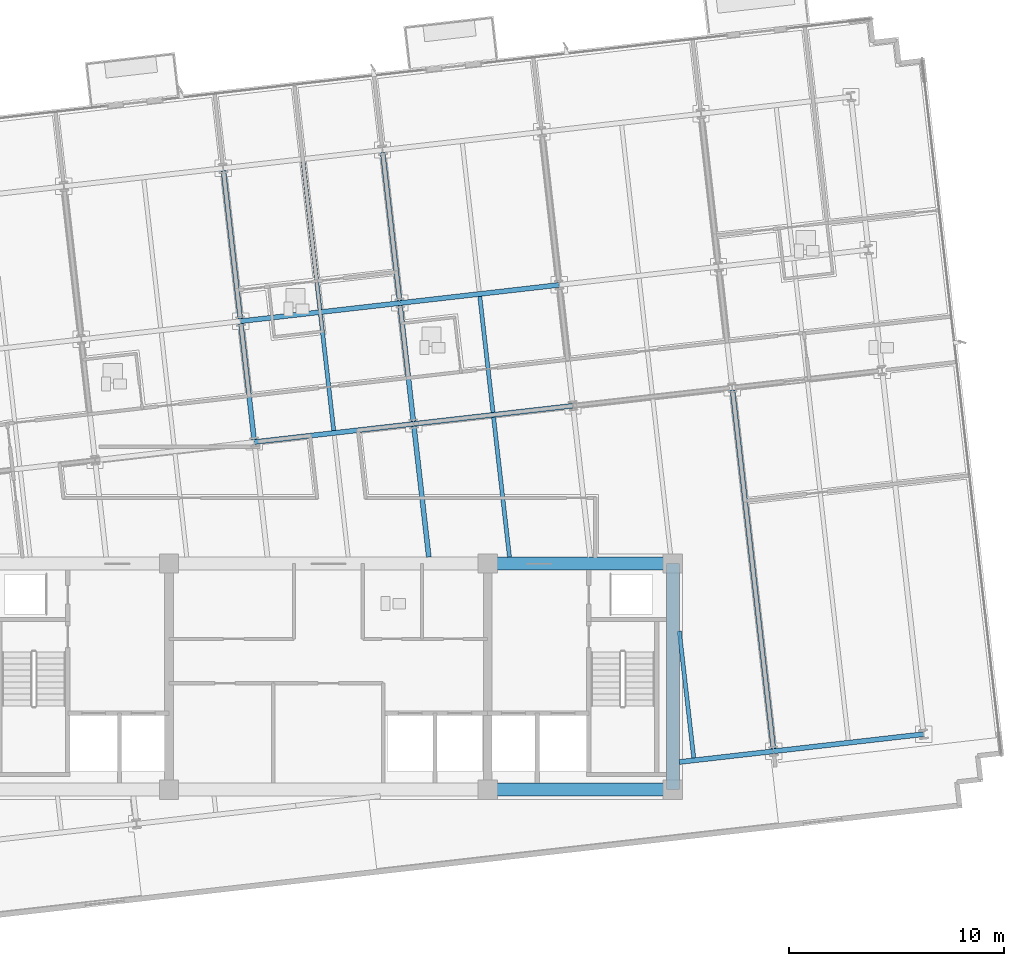
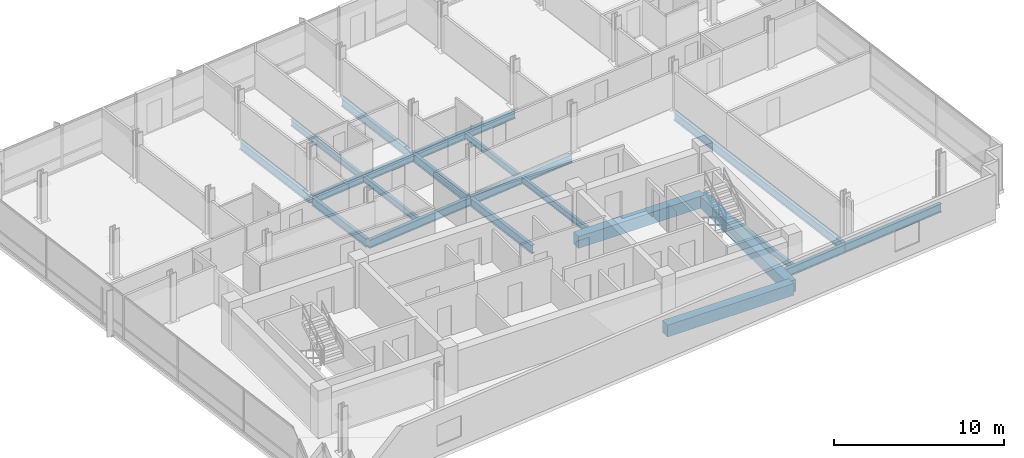
# One storey, part 4 of 16: 20 beams.
"""IFC4 building model written with IfcOpenShell, lengths in metres."""

from ifc_helpers import new_model, si_unit, direction, frame, origin, origin_2d, place, context, subcontext, project, spatial, rectangle, i_section, extrude, material, material_profile, profile_set, type_object, element, save


model = new_model("IFC4")

# Units and contexts
model_context = context("Model", 3, precision=1e-05, world=origin(), true_north=direction((0.0, 1.0)))
body_context = subcontext(model_context, "Body", "Model", "MODEL_VIEW")
ifc_project = project(units=[si_unit("LENGTHUNIT", "METRE"), si_unit("AREAUNIT", "SQUARE_METRE"), si_unit("VOLUMEUNIT", "CUBIC_METRE"), si_unit("PLANEANGLEUNIT", "RADIAN"), si_unit("MASSUNIT", "GRAM", prefix="KILO")], contexts=[model_context])

# Site, building, storey
site_placement = place(None, origin())
site = spatial("IfcSite", under=ifc_project, at=site_placement, CompositionType="ELEMENT")
building_placement = place(site_placement, origin())
building = spatial("IfcBuilding", under=site, at=building_placement, Name="Solmavex Isthmus Hotel", CompositionType="ELEMENT")
storey_placement = place(building_placement, frame((0.0, 0.0, 215.85009765625)))
storey = spatial("IfcBuildingStorey", under=building, at=storey_placement, Name="L58", CompositionType="ELEMENT", Elevation=215.85009765625)

# Beams
ifc_material_1 = material(Name="Steel ASTM A992 Grade 50", Category="steel")
ifc_material_profile_1 = material_profile(ifc_material_1, i_section(OverallWidth=0.1904296875, OverallDepth=0.456787109375, WebThickness=0.009033203125, FlangeThickness=0.014404296875, FilletRadius=0.0126953125, at=origin_2d()), Name="W18X50")
ifc_profile_set_1 = profile_set([ifc_material_profile_1], Name="Steel ASTM A992 Grade 50")
beam_type_1 = type_object("IfcBeamType", Name="BM-BJ-W18X50", PredefinedType="JOIST", material=ifc_profile_set_1)
beam_1_placement = place(storey_placement, frame((0.250244140625, 3.67822265625, -0.488525390625), z_axis=(-0.113194691868, 0.993572826587, 0.0), x_axis=(-0.993572826587, -0.113194691868, 0.0)))
element("IfcBeam", 1, at=beam_1_placement, inside=storey, type_object=beam_type_1, Name="Secondary Floor Joist L58-J10", PredefinedType="JOIST", context=body_context, shape_type="SweptSolid", body=[
    extrude(i_section(OverallWidth=0.1904296875, OverallDepth=0.456787109375, WebThickness=0.009033203125, FlangeThickness=0.014404296875, FilletRadius=0.0126953125, at=origin_2d()), origin(), (0.0, 0.0, 1.0), 5.420166015625),
])
beam_2_placement = place(storey_placement, frame((-0.38916015625, 9.289794921875, -0.488525390625), z_axis=(-0.113202453846, 0.993571942258, 0.0), x_axis=(-0.993571942258, -0.113202453846, 0.0)))
element("IfcBeam", 2, at=beam_2_placement, inside=storey, type_object=beam_type_1, Name="Secondary Floor Joist L58-J11", PredefinedType="JOIST", context=body_context, shape_type="SweptSolid", body=[
    extrude(i_section(OverallWidth=0.1904296875, OverallDepth=0.456787109375, WebThickness=0.009033203125, FlangeThickness=0.014404296875, FilletRadius=0.0126953125, at=origin_2d()), origin(), (0.0, 0.0, 1.0), 6.9228515625),
])
beam_3_placement = place(storey_placement, frame((8.414306640625, -2.199951171875, -0.488525390625), z_axis=(-0.113206345873, 0.993571498813, 0.0), x_axis=(-0.993571498813, -0.113206345873, 0.0)))
element("IfcBeam", 3, at=beam_3_placement, inside=storey, type_object=beam_type_1, Name="Secondary Floor Joist L58-J12", PredefinedType="JOIST", context=body_context, shape_type="SweptSolid", body=[
    extrude(i_section(OverallWidth=0.1904296875, OverallDepth=0.456787109375, WebThickness=0.009033203125, FlangeThickness=0.014404296875, FilletRadius=0.0126953125, at=origin_2d()), origin(), (0.0, 0.0, 1.0), 6.53662109375),
])
beam_4_placement = place(storey_placement, frame((7.6484375, 4.521240234375, -0.488525390625), z_axis=(-0.113194691868, 0.993572826587, 0.0), x_axis=(-0.993572826587, -0.113194691868, 0.0)))
element("IfcBeam", 4, at=beam_4_placement, inside=storey, type_object=beam_type_1, Name="Secondary Floor Joist L58-J13", PredefinedType="JOIST", context=body_context, shape_type="SweptSolid", body=[
    extrude(i_section(OverallWidth=0.1904296875, OverallDepth=0.456787109375, WebThickness=0.009033203125, FlangeThickness=0.014404296875, FilletRadius=0.0126953125, at=origin_2d()), origin(), (0.0, 0.0, 1.0), 5.420166015625),
])
beam_5_placement = place(storey_placement, frame((16.970947265625, -11.525390625, -0.488525390625), z_axis=(-0.113202687678, 0.993571915617, 0.0), x_axis=(-0.993571915617, -0.113202687678, 0.0)))
element("IfcBeam", 5, at=beam_5_placement, inside=storey, type_object=beam_type_1, Name="Secondary Floor Joist L58-J15", PredefinedType="JOIST", context=body_context, shape_type="SweptSolid", body=[
    extrude(i_section(OverallWidth=0.1904296875, OverallDepth=0.456787109375, WebThickness=0.009033203125, FlangeThickness=0.014404296875, FilletRadius=0.0126953125, at=origin_2d()), origin(), (0.0, 0.0, 1.0), 5.926513671875),
])
ifc_material_profile_2 = material_profile(ifc_material_1, i_section(OverallWidth=0.227783203125, OverallDepth=0.602783203125, WebThickness=0.010498046875, FlangeThickness=0.014892578125, FilletRadius=0.01513671875, at=origin_2d()), Name="W24X68")
ifc_profile_set_2 = profile_set([ifc_material_profile_2], Name="Steel ASTM A992 Grade 50")
beam_type_2 = type_object("IfcBeamType", Name="BM-BM-W24X68", PredefinedType="BEAM", material=ifc_profile_set_2)
beam_6_placement = place(storey_placement, frame((-3.435791015625, 3.1435546875, -0.5615234375), z_axis=(0.993569926006, 0.113220148984, 0.0), x_axis=(-0.113220148984, 0.993569926006, 0.0)))
element("IfcBeam", 6, at=beam_6_placement, inside=storey, type_object=beam_type_2, Name="Floor Girder L58-UG08", PredefinedType="BEAM", context=body_context, shape_type="SweptSolid", body=[
    extrude(i_section(OverallWidth=0.227783203125, OverallDepth=0.602783203125, WebThickness=0.010498046875, FlangeThickness=0.014892578125, FilletRadius=0.01513671875, at=origin_2d()), origin(), (0.0, 0.0, 1.0), 7.44580078125),
])
for number, where, z_axis, x_axis, name in (
    (7, (3.962158203125, 3.986572265625, -0.5615234375), (0.993574034044, 0.113184092846, 0.0), (-0.113184092846, 0.993574034044, 0.0), "Floor Girder L58-UG09"),
    (8, (-4.0751953125, 8.75537109375, -0.5615234375), (0.993574034044, 0.113184092846, 0.0), (-0.113184092846, 0.993574034044, 0.0), "Floor Girder L58-UG14"),
):
    element("IfcBeam", number, at=place(storey_placement, frame(where, z_axis=z_axis, x_axis=x_axis)), inside=storey, type_object=beam_type_2, Name=name, PredefinedType="BEAM", context=body_context, shape_type="SweptSolid", body=[
        extrude(i_section(OverallWidth=0.227783203125, OverallDepth=0.602783203125, WebThickness=0.010498046875, FlangeThickness=0.014892578125, FilletRadius=0.01513671875, at=origin_2d()), origin(), (0.0, 0.0, 1.0), 7.446044921875),
    ])
beam_7_placement = place(storey_placement, frame((3.322998046875, 9.59814453125, -0.5615234375), z_axis=(0.993569926006, 0.113220148984, 0.0), x_axis=(-0.113220148984, 0.993569926006, 0.0)))
element("IfcBeam", 9, at=beam_7_placement, inside=storey, type_object=beam_type_2, Name="Floor Girder L58-UG15", PredefinedType="BEAM", context=body_context, shape_type="SweptSolid", body=[
    extrude(i_section(OverallWidth=0.227783203125, OverallDepth=0.602783203125, WebThickness=0.010498046875, FlangeThickness=0.014892578125, FilletRadius=0.01513671875, at=origin_2d()), origin(), (0.0, 0.0, 1.0), 7.44580078125),
])
beam_8_placement = place(storey_placement, frame((-3.44873046875, 3.2568359375, -0.5615234375), z_axis=(-0.113194691868, 0.993572826587, 0.0), x_axis=(-0.993572826587, -0.113194691868, 0.0)))
element("IfcBeam", 10, at=beam_8_placement, inside=storey, type_object=beam_type_2, Name="Floor Beam L58-VG32", PredefinedType="BEAM", context=body_context, shape_type="SweptSolid", body=[
    extrude(i_section(OverallWidth=0.227783203125, OverallDepth=0.602783203125, WebThickness=0.010498046875, FlangeThickness=0.014892578125, FilletRadius=0.01513671875, at=origin_2d()), origin(), (0.0, 0.0, 1.0), 5.420166015625),
])
beam_9_placement = place(storey_placement, frame((-4.088134765625, 8.868408203125, -0.5615234375), z_axis=(-0.113202453846, 0.993571942258, 0.0), x_axis=(-0.993571942258, -0.113202453846, 0.0)))
element("IfcBeam", 11, at=beam_9_placement, inside=storey, type_object=beam_type_2, Name="Floor Beam L58-VG33", PredefinedType="BEAM", context=body_context, shape_type="SweptSolid", body=[
    extrude(i_section(OverallWidth=0.227783203125, OverallDepth=0.602783203125, WebThickness=0.010498046875, FlangeThickness=0.014892578125, FilletRadius=0.01513671875, at=origin_2d()), origin(), (0.0, 0.0, 1.0), 6.9228515625),
])
beam_10_placement = place(storey_placement, frame((4.667236328125, -2.199951171875, -0.5615234375), z_axis=(-0.113232304752, 0.993568540746, 0.0), x_axis=(-0.993568540746, -0.113232304752, 0.0)))
element("IfcBeam", 12, at=beam_10_placement, inside=storey, type_object=beam_type_2, Name="Floor Beam L58-VG34", PredefinedType="BEAM", context=body_context, shape_type="SweptSolid", body=[
    extrude(i_section(OverallWidth=0.227783203125, OverallDepth=0.602783203125, WebThickness=0.010498046875, FlangeThickness=0.014892578125, FilletRadius=0.01513671875, at=origin_2d()), origin(), (0.0, 0.0, 1.0), 6.112548828125),
])
beam_11_placement = place(storey_placement, frame((3.949462890625, 4.099609375, -0.5615234375), z_axis=(-0.113234090386, 0.993568337244, 0.0), x_axis=(-0.993568337244, -0.113234090386, 0.0)))
element("IfcBeam", 13, at=beam_11_placement, inside=storey, type_object=beam_type_2, Name="Floor Beam L58-VG35", PredefinedType="BEAM", context=body_context, shape_type="SweptSolid", body=[
    extrude(i_section(OverallWidth=0.227783203125, OverallDepth=0.602783203125, WebThickness=0.010498046875, FlangeThickness=0.014892578125, FilletRadius=0.01513671875, at=origin_2d()), origin(), (0.0, 0.0, 1.0), 5.42041015625),
])
beam_12_placement = place(storey_placement, frame((3.31005859375, 9.71142578125, -0.5615234375), z_axis=(-0.113202453846, 0.993571942258, 0.0), x_axis=(-0.993571942258, -0.113202453846, 0.0)))
element("IfcBeam", 14, at=beam_12_placement, inside=storey, type_object=beam_type_2, Name="Floor Beam L58-VG36", PredefinedType="BEAM", context=body_context, shape_type="SweptSolid", body=[
    extrude(i_section(OverallWidth=0.227783203125, OverallDepth=0.602783203125, WebThickness=0.010498046875, FlangeThickness=0.014892578125, FilletRadius=0.01513671875, at=origin_2d()), origin(), (0.0, 0.0, 1.0), 6.9228515625),
])
beam_13_placement = place(storey_placement, frame((20.669921875, -11.10400390625, -0.5615234375), z_axis=(-0.113198426291, 0.993572401129, 0.0), x_axis=(-0.993572401129, -0.113198426291, 0.0)))
element("IfcBeam", 15, at=beam_13_placement, inside=storey, type_object=beam_type_2, Name="Floor Beam L58-VG40", PredefinedType="BEAM", context=body_context, shape_type="SweptSolid", body=[
    extrude(i_section(OverallWidth=0.227783203125, OverallDepth=0.602783203125, WebThickness=0.010498046875, FlangeThickness=0.014892578125, FilletRadius=0.01513671875, at=origin_2d()), origin(), (0.0, 0.0, 1.0), 16.77099609375),
])
ifc_material_2 = material(Name="Concrete C50/60", Category="concrete")
ifc_material_profile_3 = material_profile(ifc_material_2, rectangle(XDim=0.60009765625, YDim=0.85009765625, at=origin_2d()), Name="RC600X850")
ifc_profile_set_3 = profile_set([ifc_material_profile_3], Name="Concrete C50/60")
beam_type_3 = type_object("IfcBeamType", Name="BM-CB-600X850", PredefinedType="BEAM", material=ifc_profile_set_3)
for number, where, z_axis, x_axis, name in (
    (16, (7.39990234375, -13.0, -0.68505859375), (1.0, 0.0, 0.0), (0.0, 1.0, 0.0), "Core Coupling Beam L58-CB3"),
    (17, (7.39990234375, -2.5, -0.68505859375), (1.0, 0.0, 0.0), (0.0, 1.0, 0.0), "Core Coupling Beam L58-CB6"),
):
    element("IfcBeam", number, at=place(storey_placement, frame(where, z_axis=z_axis, x_axis=x_axis)), inside=storey, type_object=beam_type_3, Name=name, PredefinedType="BEAM", context=body_context, shape_type="SweptSolid", body=[
        extrude(rectangle(XDim=0.60009765625, YDim=0.85009765625, at=origin_2d()), origin(), (0.0, 0.0, 1.0), 8.60009765625),
    ])
beam_14_placement = place(storey_placement, frame((16.0, -13.0, -0.68505859375), z_axis=(0.0, 1.0, 0.0), x_axis=(-1.0, 0.0, 0.0)))
element("IfcBeam", 18, at=beam_14_placement, inside=storey, type_object=beam_type_3, Name="Core Coupling Beam L58-CB8", PredefinedType="BEAM", context=body_context, shape_type="SweptSolid", body=[
    extrude(rectangle(XDim=0.60009765625, YDim=0.85009765625, at=origin_2d()), origin(), (0.0, 0.0, 1.0), 10.5),
])
ifc_material_profile_4 = material_profile(ifc_material_1, i_section(OverallWidth=0.230224609375, OverallDepth=0.617431640625, WebThickness=0.01318359375, FlangeThickness=0.022216796875, FilletRadius=0.01513671875, at=origin_2d()), Name="W24X94")
ifc_profile_set_4 = profile_set([ifc_material_profile_4], Name="Steel ASTM A992 Grade 50")
beam_type_4 = type_object("IfcBeamType", Name="BM-SP-W24X94", PredefinedType="SPANDREL", material=ifc_profile_set_4)
beam_15_placement = place(storey_placement, frame((16.300048828125, -11.7177734375, -0.56884765625), z_axis=(0.993574880398, 0.113176662976, 0.0), x_axis=(-0.113176662976, 0.993574880398, 0.0)))
element("IfcBeam", 19, at=beam_15_placement, inside=storey, type_object=beam_type_4, Name="Floor Girder L58-UG04", PredefinedType="SPANDREL", context=body_context, shape_type="SweptSolid", body=[
    extrude(i_section(OverallWidth=0.230224609375, OverallDepth=0.617431640625, WebThickness=0.01318359375, FlangeThickness=0.022216796875, FilletRadius=0.01513671875, at=origin_2d()), origin(), (0.0, 0.0, 1.0), 4.411376953125),
])
beam_16_placement = place(storey_placement, frame((20.68310546875, -11.218505859375, -0.56884765625), z_axis=(0.993569675103, 0.113222350774, 0.0), x_axis=(-0.113222350774, 0.993569675103, 0.0)))
element("IfcBeam", 20, at=beam_16_placement, inside=storey, type_object=beam_type_4, Name="Floor Girder L58-UG05", PredefinedType="SPANDREL", context=body_context, shape_type="SweptSolid", body=[
    extrude(i_section(OverallWidth=0.230224609375, OverallDepth=0.617431640625, WebThickness=0.01318359375, FlangeThickness=0.022216796875, FilletRadius=0.01513671875, at=origin_2d()), origin(), (0.0, 0.0, 1.0), 7.008056640625),
])

save(model, "model.ifc")
